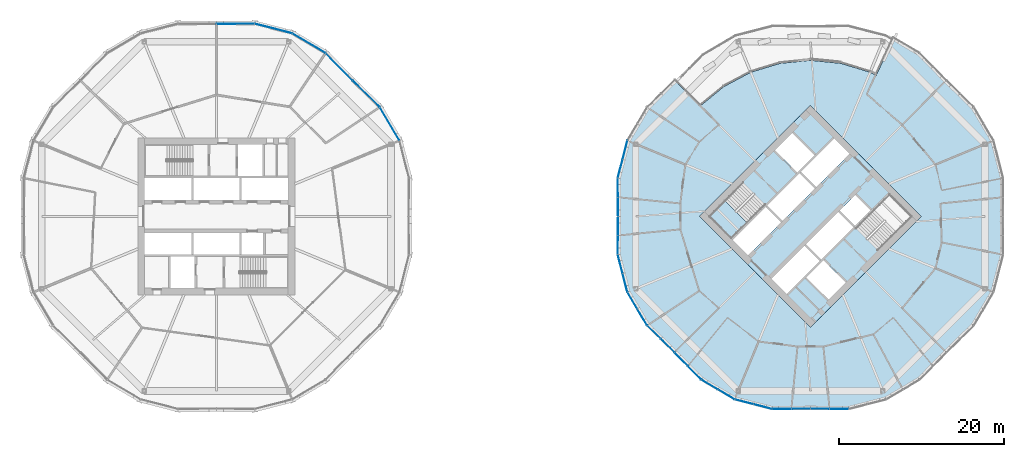
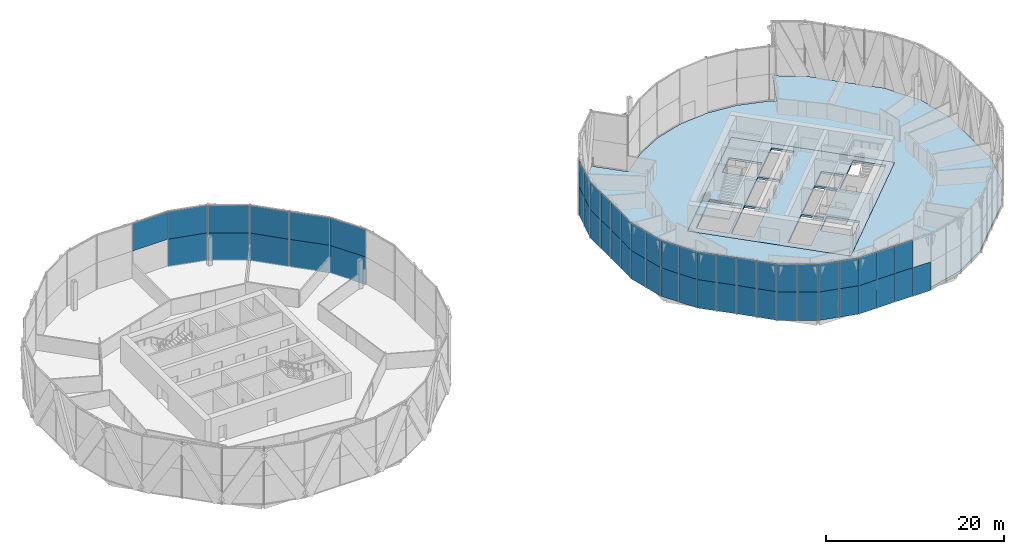
# One storey, part 19 of 31: 54 plates, 3 slabs, 7 elements without a shape of their own.
"""IFC4 building model written with IfcOpenShell, lengths in metres."""

from ifc_helpers import new_model, si_unit, direction, frame, origin, origin_2d, place, context, subcontext, project, spatial, polyline, rectangle, outline, extrude, material, layer, layer_set, type_object, element, aggregate, save


model = new_model("IFC4")

# Units and contexts
model_context = context("Model", 3, precision=1e-05, world=origin(), true_north=direction((0.0, 1.0)))
body_context = subcontext(model_context, "Body", "Model", "MODEL_VIEW")
ifc_project = project(units=[si_unit("LENGTHUNIT", "METRE"), si_unit("AREAUNIT", "SQUARE_METRE"), si_unit("VOLUMEUNIT", "CUBIC_METRE"), si_unit("PLANEANGLEUNIT", "RADIAN"), si_unit("MASSUNIT", "GRAM", prefix="KILO")], contexts=[model_context])

# Site, building, storey
site_placement = place(None, origin())
site = spatial("IfcSite", under=ifc_project, at=site_placement, CompositionType="ELEMENT")
building_placement = place(site_placement, origin())
building = spatial("IfcBuilding", under=site, at=building_placement, Name="Ogive Gate Towers", CompositionType="ELEMENT")
storey_placement = place(building_placement, frame((0.0, 0.0, 63.60009765625)))
storey = spatial("IfcBuildingStorey", under=building, at=storey_placement, Name="L14", CompositionType="ELEMENT", Elevation=63.60009765625)

# Slabs
ifc_material_1 = material(Name="Concrete C40/50", Category="concrete")
ifc_layer_1 = layer(ifc_material_1, 0.300048828125)
ifc_layer_set_1 = layer_set([ifc_layer_1], Name="Core slab C40/50 300 mm")
slab_type_1 = type_object("IfcSlabType", Name="Core slab C40/50 300 mm", PredefinedType="FLOOR", material=ifc_layer_set_1)
slab_1_placement = place(storey_placement, frame((0.0, 0.0, -0.300048828125)))
element("IfcSlab", 1, at=slab_1_placement, inside=storey, type_object=slab_type_1, Name="T2 L14 core slab", PredefinedType="FLOOR", context=body_context, shape_type="SweptSolid", body=[
    extrude(outline(polyline([(36.0, 13.43505859375), (49.43505859375, 0.0), (36.0, -13.43505859375), (22.56494140625, 0.0), (36.0, 13.43505859375)]), holes=[polyline([(30.590576171875, 1.13134765625), (26.577880859375, -2.881591796875), (28.43408203125, -4.737548828125), (32.44677734375, -0.724853515625), (30.590576171875, 1.13134765625)]), polyline([(36.548095703125, 3.37646484375), (34.69189453125, 5.232666015625), (30.767333984375, 1.30810546875), (32.62353515625, -0.548095703125), (36.548095703125, 3.37646484375)]), polyline([(36.724853515625, 3.55322265625), (40.737548828125, 7.56591796875), (38.881591796875, 9.422119140625), (34.86865234375, 5.409423828125), (36.724853515625, 3.55322265625)]), polyline([(31.262451171875, -7.56591796875), (33.118408203125, -9.422119140625), (37.13134765625, -5.409423828125), (35.275146484375, -3.55322265625), (31.262451171875, -7.56591796875)]), polyline([(39.37646484375, 0.548095703125), (35.451904296875, -3.37646484375), (37.30810546875, -5.232666015625), (41.232666015625, -1.30810546875), (39.37646484375, 0.548095703125)]), polyline([(43.283203125, 0.742431640625), (41.427001953125, 2.5986328125), (39.55322265625, 0.724853515625), (41.409423828125, -1.13134765625), (43.283203125, 0.742431640625)]), polyline([(34.408935546875, 5.30322265625), (36.4951171875, 7.389404296875), (33.790283203125, 10.093994140625), (31.704345703125, 8.008056640625), (34.408935546875, 5.30322265625)]), polyline([(35.5048828125, -7.389404296875), (38.209716796875, -10.093994140625), (40.295654296875, -8.008056640625), (37.591064453125, -5.30322265625), (35.5048828125, -7.389404296875)]), polyline([(26.40087890625, -2.70458984375), (30.512939453125, 1.406982421875), (27.80810546875, 4.11181640625), (23.6962890625, 0.0), (26.40087890625, -2.70458984375)]), polyline([(48.3037109375, 0.0), (45.59912109375, 2.70458984375), (41.487060546875, -1.406982421875), (44.19189453125, -4.11181640625), (48.3037109375, 0.0)])]), origin(), (0.0, 0.0, 1.0), 0.300048828125),
])
ifc_material_2 = material(Name="Concrete C35/45", Category="concrete")
ifc_layer_2 = layer(ifc_material_2, 0.300048828125)
ifc_layer_set_2 = layer_set([ifc_layer_2], Name="Floor slab 300")
slab_type_2 = type_object("IfcSlabType", Name="Floor slab 300", PredefinedType="FLOOR", material=ifc_layer_set_2)
slab_2_placement = place(storey_placement, frame((0.0, 0.0, -0.300048828125)))
element("IfcSlab", 2, at=slab_2_placement, inside=storey, type_object=slab_type_2, Name="T2/L14/SSL001", PredefinedType="FLOOR", context=body_context, shape_type="SweptSolid", body=[
    extrude(outline(polyline([(52.411865234375, 16.411865234375), (49.172607421875, 19.714111328125), (46.05224609375, 21.55712890625), (43.965087890625, 17.0810546875), (43.236572265625, 17.470458984375), (39.689208984375, 18.546630859375), (36.0, 18.909912109375), (32.310791015625, 18.546630859375), (28.763427734375, 17.470458984375), (25.494140625, 15.72314453125), (22.628662109375, 13.371337890625), (19.588134765625, 16.411865234375), (16.285888671875, 13.172607421875), (13.91015625, 9.14990234375), (12.74560546875, 4.62548828125), (12.7900390625, 0.0), (12.74560546875, -4.62548828125), (13.91015625, -9.14990234375), (16.285888671875, -13.172607421875), (19.588134765625, -16.411865234375), (22.827392578125, -19.714111328125), (26.85009765625, -22.08984375), (31.37451171875, -23.25439453125), (36.0, -23.2099609375), (40.62548828125, -23.25439453125), (45.14990234375, -22.08984375), (49.172607421875, -19.714111328125), (52.411865234375, -16.411865234375), (55.714111328125, -13.172607421875), (58.08984375, -9.14990234375), (59.25439453125, -4.62548828125), (59.2099609375, 0.0), (59.25439453125, 4.62548828125), (58.08984375, 9.14990234375), (55.714111328125, 13.172607421875), (52.411865234375, 16.411865234375)]), holes=[polyline([(49.43505859375, 0.0), (36.0, -13.43505859375), (22.56494140625, 0.0), (36.0, 13.43505859375), (49.43505859375, 0.0)])]), origin(), (0.0, 0.0, 1.0), 0.300048828125),
])

# Stair, slab
stair_type = type_object("IfcStairType", Name="Escape stair 1840 wide", PredefinedType="HALF_TURN_STAIR", material=ifc_material_1)
stair_placement = place(storey_placement, origin())
stair = element("IfcStair", 3, at=stair_placement, inside=storey, type_object=stair_type, Name="L14 Escape stair 1", PredefinedType="HALF_TURN_STAIR")
ifc_layer_3 = layer(ifc_material_1, 0.199951171875)
ifc_layer_set_3 = layer_set([ifc_layer_3], Name="Stair landing 200 mm")
slab_type_3 = type_object("IfcSlabType", Name="Stair landing 200 mm", PredefinedType="LANDING", material=ifc_layer_set_3)
slab_3_placement = place(storey_placement, frame((0.0, 0.0, 1.75)))
slab_3 = element("IfcSlab", 4, at=slab_3_placement, type_object=slab_type_3, Name="ST1 landing 1", PredefinedType="LANDING", context=body_context, shape_type="SweptSolid", body=[
    extrude(outline(polyline([(25.6044921875, 1.908203125), (23.6962890625, 0.0), (26.401123046875, -2.70458984375), (28.309326171875, -0.79638671875), (25.6044921875, 1.908203125)])), origin(), (0.0, 0.0, 1.0), 0.199951171875),
])
aggregate(stair, [slab_3])

# Curtain wall, plates
ifc_material_3 = material(Name="Pale metal aluminium", Category="aluminium")
curtain_wall_type = type_object("IfcCurtainWallType", Name="Tower unitised wall, low zone", PredefinedType="NOTDEFINED", material=ifc_material_3)
curtain_wall_1_placement = place(storey_placement, origin())
curtain_wall_1 = element("IfcCurtainWall", 5, at=curtain_wall_1_placement, inside=storey, type_object=curtain_wall_type, Name="CW1 T1 ECW01", PredefinedType="NOTDEFINED")
ifc_material_4 = material(Name="Clear glass", Category="glass")
ifc_layer_4 = layer(ifc_material_4, 0.028076171875)
ifc_layer_set_4 = layer_set([ifc_layer_4], Name="Tower unitised wall, low zone glass panel")
plate_type = type_object("IfcPlateType", Name="Tower unitised wall, low zone glass panel", PredefinedType="CURTAIN_PANEL", material=ifc_layer_set_4)
plate_1_placement = place(storey_placement, frame((-15.01171875, 11.211669921875, -0.2041015625), z_axis=(0.0, 0.0, 1.0), x_axis=(-0.508545579527, 0.86103507103, 0.0)))
plate_1 = element("IfcPlate", 6, at=plate_1_placement, type_object=plate_type, Name="CW1 glass panel", PredefinedType="CURTAIN_PANEL", context=body_context, shape_type="SweptSolid", body=[
    extrude(rectangle(XDim=4.63720703125, YDim=0.028076171875, at=origin_2d()), origin(), (0.0, 0.0, 1.0), 3.803955078125),
])
plate_2_placement = place(storey_placement, frame((-15.01171875, 11.211669921875, 3.60009765625), z_axis=(0.0, 0.0, 1.0), x_axis=(-0.508545579527, 0.86103507103, 0.0)))
plate_2 = element("IfcPlate", 7, at=plate_2_placement, type_object=plate_type, Name="CW1 glass panel", PredefinedType="CURTAIN_PANEL", context=body_context, shape_type="SweptSolid", body=[
    extrude(rectangle(XDim=4.63720703125, YDim=0.028076171875, at=origin_2d()), origin(), (0.0, 0.0, 1.0), 3.803955078125),
])
plate_3_placement = place(storey_placement, frame((-17.86328125, 14.860107421875, -0.2041015625), z_axis=(0.0, 0.0, 1.0), x_axis=(-0.713849613797, 0.700299028189, 0.0)))
plate_3 = element("IfcPlate", 8, at=plate_3_placement, type_object=plate_type, Name="CW1 glass panel", PredefinedType="CURTAIN_PANEL", context=body_context, shape_type="SweptSolid", body=[
    extrude(rectangle(XDim=4.580078125, YDim=0.028076171875, at=origin_2d()), origin(), (0.0, 0.0, 1.0), 3.803955078125),
])
plate_4_placement = place(storey_placement, frame((-17.86328125, 14.860107421875, 3.60009765625), z_axis=(0.0, 0.0, 1.0), x_axis=(-0.713849613797, 0.700299028189, 0.0)))
plate_4 = element("IfcPlate", 9, at=plate_4_placement, type_object=plate_type, Name="CW1 glass panel", PredefinedType="CURTAIN_PANEL", context=body_context, shape_type="SweptSolid", body=[
    extrude(rectangle(XDim=4.580078125, YDim=0.028076171875, at=origin_2d()), origin(), (0.0, 0.0, 1.0), 3.803955078125),
])
aggregate(curtain_wall_1, [plate_1, plate_2, plate_3, plate_4])

curtain_wall_2_placement = place(storey_placement, origin())
curtain_wall_2 = element("IfcCurtainWall", 10, at=curtain_wall_2_placement, inside=storey, type_object=curtain_wall_type, Name="CW1 T1 ECW02", PredefinedType="NOTDEFINED")
plate_5_placement = place(storey_placement, frame((-21.139892578125, 18.13671875, -0.2041015625), z_axis=(0.0, 0.0, 1.0), x_axis=(-0.700299028189, 0.713849613797, 0.0)))
plate_5 = element("IfcPlate", 11, at=plate_5_placement, type_object=plate_type, Name="CW1 glass panel", PredefinedType="CURTAIN_PANEL", context=body_context, shape_type="SweptSolid", body=[
    extrude(rectangle(XDim=4.580078125, YDim=0.028076171875, at=origin_2d()), origin(), (0.0, 0.0, 1.0), 3.803955078125),
])
plate_6_placement = place(storey_placement, frame((-21.139892578125, 18.13671875, 3.60009765625), z_axis=(0.0, 0.0, 1.0), x_axis=(-0.700299028189, 0.713849613797, 0.0)))
plate_6 = element("IfcPlate", 12, at=plate_6_placement, type_object=plate_type, Name="CW1 glass panel", PredefinedType="CURTAIN_PANEL", context=body_context, shape_type="SweptSolid", body=[
    extrude(rectangle(XDim=4.580078125, YDim=0.028076171875, at=origin_2d()), origin(), (0.0, 0.0, 1.0), 3.803955078125),
])
plate_7_placement = place(storey_placement, frame((-24.788330078125, 20.98828125, -0.2041015625), z_axis=(0.0, 0.0, 1.0), x_axis=(-0.86103507103, 0.508545579527, 0.0)))
plate_7 = element("IfcPlate", 13, at=plate_7_placement, type_object=plate_type, Name="CW1 glass panel", PredefinedType="CURTAIN_PANEL", context=body_context, shape_type="SweptSolid", body=[
    extrude(rectangle(XDim=4.63720703125, YDim=0.028076171875, at=origin_2d()), origin(), (0.0, 0.0, 1.0), 3.803955078125),
])
plate_8_placement = place(storey_placement, frame((-24.788330078125, 20.98828125, 3.60009765625), z_axis=(0.0, 0.0, 1.0), x_axis=(-0.86103507103, 0.508545579527, 0.0)))
plate_8 = element("IfcPlate", 14, at=plate_8_placement, type_object=plate_type, Name="CW1 glass panel", PredefinedType="CURTAIN_PANEL", context=body_context, shape_type="SweptSolid", body=[
    extrude(rectangle(XDim=4.63720703125, YDim=0.028076171875, at=origin_2d()), origin(), (0.0, 0.0, 1.0), 3.803955078125),
])
plate_9_placement = place(storey_placement, frame((-29.0869140625, 22.768798828125, -0.2041015625), z_axis=(0.0, 0.0, 1.0), x_axis=(-0.968439765391, 0.249247709738, 0.0)))
plate_9 = element("IfcPlate", 15, at=plate_9_placement, type_object=plate_type, Name="CW1 glass panel", PredefinedType="CURTAIN_PANEL", context=body_context, shape_type="SweptSolid", body=[
    extrude(rectangle(XDim=4.63720703125, YDim=0.028076171875, at=origin_2d()), origin(), (0.0, 0.0, 1.0), 3.803955078125),
])
plate_10_placement = place(storey_placement, frame((-29.0869140625, 22.768798828125, 3.60009765625), z_axis=(0.0, 0.0, 1.0), x_axis=(-0.968439765391, 0.249247709738, 0.0)))
plate_10 = element("IfcPlate", 16, at=plate_10_placement, type_object=plate_type, Name="CW1 glass panel", PredefinedType="CURTAIN_PANEL", context=body_context, shape_type="SweptSolid", body=[
    extrude(rectangle(XDim=4.63720703125, YDim=0.028076171875, at=origin_2d()), origin(), (0.0, 0.0, 1.0), 3.803955078125),
])
plate_11_placement = place(storey_placement, frame((-33.68310546875, 23.332275390625, 3.60009765625), z_axis=(0.0, 0.0, 1.0), x_axis=(-0.999953926969, -0.009599163462, 0.0)))
plate_11 = element("IfcPlate", 17, at=plate_11_placement, type_object=plate_type, Name="CW1 glass panel", PredefinedType="CURTAIN_PANEL", context=body_context, shape_type="SweptSolid", body=[
    extrude(rectangle(XDim=4.580078125, YDim=0.028076171875, at=origin_2d()), origin(), (0.0, 0.0, 1.0), 3.803955078125),
])
aggregate(curtain_wall_2, [plate_5, plate_6, plate_7, plate_8, plate_9, plate_10, plate_11])

curtain_wall_3_placement = place(storey_placement, origin())
curtain_wall_3 = element("IfcCurtainWall", 18, at=curtain_wall_3_placement, inside=storey, type_object=curtain_wall_type, Name="CW1 T2 ECW05", PredefinedType="NOTDEFINED")
plate_12_placement = place(storey_placement, frame((12.678955078125, 1.159423828125, -0.300048828125), z_axis=(0.0, 0.0, 1.0), x_axis=(-0.009616615949, 0.99995375928, 0.0)))
plate_12 = element("IfcPlate", 19, at=plate_12_placement, type_object=plate_type, Name="CW1 glass panel", PredefinedType="CURTAIN_PANEL", context=body_context, shape_type="SweptSolid", body=[
    extrude(rectangle(XDim=2.264892578125, YDim=0.028076171875, at=origin_2d()), origin(), (0.0, 0.0, 1.0), 3.89990234375),
])
plate_13_placement = place(storey_placement, frame((12.678955078125, 1.159423828125, 3.60009765625), z_axis=(0.0, 0.0, 1.0), x_axis=(-0.009616615949, 0.99995375928, 0.0)))
plate_13 = element("IfcPlate", 20, at=plate_13_placement, type_object=plate_type, Name="CW1 glass panel", PredefinedType="CURTAIN_PANEL", context=body_context, shape_type="SweptSolid", body=[
    extrude(rectangle(XDim=2.264892578125, YDim=0.028076171875, at=origin_2d()), origin(), (0.0, 0.0, 1.0), 3.803955078125),
])
plate_14_placement = place(storey_placement, frame((12.656494140625, 3.476318359375, -0.300048828125), z_axis=(0.0, 0.0, 1.0), x_axis=(-0.009581710973, 0.999954094354, 0.0)))
plate_14 = element("IfcPlate", 21, at=plate_14_placement, type_object=plate_type, Name="CW1 glass panel", PredefinedType="CURTAIN_PANEL", context=body_context, shape_type="SweptSolid", body=[
    extrude(rectangle(XDim=2.26123046875, YDim=0.028076171875, at=origin_2d()), origin(), (0.0, 0.0, 1.0), 3.89990234375),
])
plate_15_placement = place(storey_placement, frame((12.656494140625, 3.476318359375, 3.60009765625), z_axis=(0.0, 0.0, 1.0), x_axis=(-0.009581710973, 0.999954094354, 0.0)))
plate_15 = element("IfcPlate", 22, at=plate_15_placement, type_object=plate_type, Name="CW1 glass panel", PredefinedType="CURTAIN_PANEL", context=body_context, shape_type="SweptSolid", body=[
    extrude(rectangle(XDim=2.26123046875, YDim=0.028076171875, at=origin_2d()), origin(), (0.0, 0.0, 1.0), 3.803955078125),
])
plate_16_placement = place(storey_placement, frame((12.938720703125, 5.77734375, -0.300048828125), z_axis=(0.0, 0.0, 1.0), x_axis=(0.249247709738, 0.968439765391, 0.0)))
plate_16 = element("IfcPlate", 23, at=plate_16_placement, type_object=plate_type, Name="CW1 glass panel", PredefinedType="CURTAIN_PANEL", context=body_context, shape_type="SweptSolid", body=[
    extrude(rectangle(XDim=2.291748046875, YDim=0.028076171875, at=origin_2d()), origin(), (0.0, 0.0, 1.0), 3.89990234375),
])
plate_17_placement = place(storey_placement, frame((12.938720703125, 5.77734375, 3.60009765625), z_axis=(0.0, 0.0, 1.0), x_axis=(0.249247709738, 0.968439765391, 0.0)))
plate_17 = element("IfcPlate", 24, at=plate_17_placement, type_object=plate_type, Name="CW1 glass panel", PredefinedType="CURTAIN_PANEL", context=body_context, shape_type="SweptSolid", body=[
    extrude(rectangle(XDim=2.291748046875, YDim=0.028076171875, at=origin_2d()), origin(), (0.0, 0.0, 1.0), 3.803955078125),
])
plate_18_placement = place(storey_placement, frame((13.5234375, 8.049072265625, -0.300048828125), z_axis=(0.0, 0.0, 1.0), x_axis=(0.249247709738, 0.968439765391, 0.0)))
plate_18 = element("IfcPlate", 25, at=plate_18_placement, type_object=plate_type, Name="CW1 glass panel", PredefinedType="CURTAIN_PANEL", context=body_context, shape_type="SweptSolid", body=[
    extrude(rectangle(XDim=2.29150390625, YDim=0.028076171875, at=origin_2d()), origin(), (0.0, 0.0, 1.0), 3.89990234375),
])
plate_19_placement = place(storey_placement, frame((13.5234375, 8.049072265625, 3.60009765625), z_axis=(0.0, 0.0, 1.0), x_axis=(0.249247709738, 0.968439765391, 0.0)))
plate_19 = element("IfcPlate", 26, at=plate_19_placement, type_object=plate_type, Name="CW1 glass panel", PredefinedType="CURTAIN_PANEL", context=body_context, shape_type="SweptSolid", body=[
    extrude(rectangle(XDim=2.29150390625, YDim=0.028076171875, at=origin_2d()), origin(), (0.0, 0.0, 1.0), 3.803955078125),
])
aggregate(curtain_wall_3, [plate_12, plate_13, plate_14, plate_15, plate_16, plate_17, plate_18, plate_19])

curtain_wall_4_placement = place(storey_placement, origin())
curtain_wall_4 = element("IfcCurtainWall", 27, at=curtain_wall_4_placement, inside=storey, type_object=curtain_wall_type, Name="CW1 T2 ECW06", PredefinedType="NOTDEFINED")
plate_20_placement = place(storey_placement, frame((18.689697265625, -15.670654296875, -0.300048828125), z_axis=(0.0, 0.0, 1.0), x_axis=(-0.713849613797, 0.700299028189, 0.0)))
plate_20 = element("IfcPlate", 28, at=plate_20_placement, type_object=plate_type, Name="CW1 glass panel", PredefinedType="CURTAIN_PANEL", context=body_context, shape_type="SweptSolid", body=[
    extrude(rectangle(XDim=2.264892578125, YDim=0.028076171875, at=origin_2d()), origin(), (0.0, 0.0, 1.0), 3.89990234375),
])
plate_21_placement = place(storey_placement, frame((18.689697265625, -15.670654296875, 3.60009765625), z_axis=(0.0, 0.0, 1.0), x_axis=(-0.713849613797, 0.700299028189, 0.0)))
plate_21 = element("IfcPlate", 29, at=plate_21_placement, type_object=plate_type, Name="CW1 glass panel", PredefinedType="CURTAIN_PANEL", context=body_context, shape_type="SweptSolid", body=[
    extrude(rectangle(XDim=2.264892578125, YDim=0.028076171875, at=origin_2d()), origin(), (0.0, 0.0, 1.0), 3.803955078125),
])
plate_22_placement = place(storey_placement, frame((17.035400390625, -14.048095703125, -0.300048828125), z_axis=(0.0, 0.0, 1.0), x_axis=(-0.713861836212, 0.700286569056, 0.0)))
plate_22 = element("IfcPlate", 30, at=plate_22_placement, type_object=plate_type, Name="CW1 glass panel", PredefinedType="CURTAIN_PANEL", context=body_context, shape_type="SweptSolid", body=[
    extrude(rectangle(XDim=2.26123046875, YDim=0.028076171875, at=origin_2d()), origin(), (0.0, 0.0, 1.0), 3.89990234375),
])
plate_23_placement = place(storey_placement, frame((17.035400390625, -14.048095703125, 3.60009765625), z_axis=(0.0, 0.0, 1.0), x_axis=(-0.713861836212, 0.700286569056, 0.0)))
plate_23 = element("IfcPlate", 31, at=plate_23_placement, type_object=plate_type, Name="CW1 glass panel", PredefinedType="CURTAIN_PANEL", context=body_context, shape_type="SweptSolid", body=[
    extrude(rectangle(XDim=2.26123046875, YDim=0.028076171875, at=origin_2d()), origin(), (0.0, 0.0, 1.0), 3.803955078125),
])
plate_24_placement = place(storey_placement, frame((15.60791015625, -12.221435546875, -0.300048828125), z_axis=(0.0, 0.0, 1.0), x_axis=(-0.508530551553, 0.861043946693, 0.0)))
plate_24 = element("IfcPlate", 32, at=plate_24_placement, type_object=plate_type, Name="CW1 glass panel", PredefinedType="CURTAIN_PANEL", context=body_context, shape_type="SweptSolid", body=[
    extrude(rectangle(XDim=2.29150390625, YDim=0.028076171875, at=origin_2d()), origin(), (0.0, 0.0, 1.0), 3.89990234375),
])
plate_25_placement = place(storey_placement, frame((15.60791015625, -12.221435546875, 3.60009765625), z_axis=(0.0, 0.0, 1.0), x_axis=(-0.508530551553, 0.861043946693, 0.0)))
plate_25 = element("IfcPlate", 33, at=plate_25_placement, type_object=plate_type, Name="CW1 glass panel", PredefinedType="CURTAIN_PANEL", context=body_context, shape_type="SweptSolid", body=[
    extrude(rectangle(XDim=2.29150390625, YDim=0.028076171875, at=origin_2d()), origin(), (0.0, 0.0, 1.0), 3.803955078125),
])
plate_26_placement = place(storey_placement, frame((14.415283203125, -10.201904296875, -0.300048828125), z_axis=(0.0, 0.0, 1.0), x_axis=(-0.508545579527, 0.86103507103, 0.0)))
plate_26 = element("IfcPlate", 34, at=plate_26_placement, type_object=plate_type, Name="CW1 glass panel", PredefinedType="CURTAIN_PANEL", context=body_context, shape_type="SweptSolid", body=[
    extrude(rectangle(XDim=2.29150390625, YDim=0.028076171875, at=origin_2d()), origin(), (0.0, 0.0, 1.0), 3.89990234375),
])
plate_27_placement = place(storey_placement, frame((14.415283203125, -10.201904296875, 3.60009765625), z_axis=(0.0, 0.0, 1.0), x_axis=(-0.508545579527, 0.86103507103, 0.0)))
plate_27 = element("IfcPlate", 35, at=plate_27_placement, type_object=plate_type, Name="CW1 glass panel", PredefinedType="CURTAIN_PANEL", context=body_context, shape_type="SweptSolid", body=[
    extrude(rectangle(XDim=2.29150390625, YDim=0.028076171875, at=origin_2d()), origin(), (0.0, 0.0, 1.0), 3.803955078125),
])
plate_28_placement = place(storey_placement, frame((13.5234375, -8.049072265625, -0.300048828125), z_axis=(0.0, 0.0, 1.0), x_axis=(-0.249247709738, 0.968439765391, 0.0)))
plate_28 = element("IfcPlate", 36, at=plate_28_placement, type_object=plate_type, Name="CW1 glass panel", PredefinedType="CURTAIN_PANEL", context=body_context, shape_type="SweptSolid", body=[
    extrude(rectangle(XDim=2.29150390625, YDim=0.028076171875, at=origin_2d()), origin(), (0.0, 0.0, 1.0), 3.89990234375),
])
plate_29_placement = place(storey_placement, frame((13.5234375, -8.049072265625, 3.60009765625), z_axis=(0.0, 0.0, 1.0), x_axis=(-0.249247709738, 0.968439765391, 0.0)))
plate_29 = element("IfcPlate", 37, at=plate_29_placement, type_object=plate_type, Name="CW1 glass panel", PredefinedType="CURTAIN_PANEL", context=body_context, shape_type="SweptSolid", body=[
    extrude(rectangle(XDim=2.29150390625, YDim=0.028076171875, at=origin_2d()), origin(), (0.0, 0.0, 1.0), 3.803955078125),
])
plate_30_placement = place(storey_placement, frame((12.938720703125, -5.77734375, -0.300048828125), z_axis=(0.0, 0.0, 1.0), x_axis=(-0.249247709738, 0.968439765391, 0.0)))
plate_30 = element("IfcPlate", 38, at=plate_30_placement, type_object=plate_type, Name="CW1 glass panel", PredefinedType="CURTAIN_PANEL", context=body_context, shape_type="SweptSolid", body=[
    extrude(rectangle(XDim=2.291748046875, YDim=0.028076171875, at=origin_2d()), origin(), (0.0, 0.0, 1.0), 3.89990234375),
])
plate_31_placement = place(storey_placement, frame((12.938720703125, -5.77734375, 3.60009765625), z_axis=(0.0, 0.0, 1.0), x_axis=(-0.249247709738, 0.968439765391, 0.0)))
plate_31 = element("IfcPlate", 39, at=plate_31_placement, type_object=plate_type, Name="CW1 glass panel", PredefinedType="CURTAIN_PANEL", context=body_context, shape_type="SweptSolid", body=[
    extrude(rectangle(XDim=2.291748046875, YDim=0.028076171875, at=origin_2d()), origin(), (0.0, 0.0, 1.0), 3.803955078125),
])
plate_32_placement = place(storey_placement, frame((12.656494140625, -3.476318359375, -0.300048828125), z_axis=(0.0, 0.0, 1.0), x_axis=(0.009581710973, 0.999954094354, 0.0)))
plate_32 = element("IfcPlate", 40, at=plate_32_placement, type_object=plate_type, Name="CW1 glass panel", PredefinedType="CURTAIN_PANEL", context=body_context, shape_type="SweptSolid", body=[
    extrude(rectangle(XDim=2.26123046875, YDim=0.028076171875, at=origin_2d()), origin(), (0.0, 0.0, 1.0), 3.89990234375),
])
plate_33_placement = place(storey_placement, frame((12.656494140625, -3.476318359375, 3.60009765625), z_axis=(0.0, 0.0, 1.0), x_axis=(0.009581710973, 0.999954094354, 0.0)))
plate_33 = element("IfcPlate", 41, at=plate_33_placement, type_object=plate_type, Name="CW1 glass panel", PredefinedType="CURTAIN_PANEL", context=body_context, shape_type="SweptSolid", body=[
    extrude(rectangle(XDim=2.26123046875, YDim=0.028076171875, at=origin_2d()), origin(), (0.0, 0.0, 1.0), 3.803955078125),
])
plate_34_placement = place(storey_placement, frame((12.678955078125, -1.159423828125, -0.300048828125), z_axis=(0.0, 0.0, 1.0), x_axis=(0.009616615949, 0.99995375928, 0.0)))
plate_34 = element("IfcPlate", 42, at=plate_34_placement, type_object=plate_type, Name="CW1 glass panel", PredefinedType="CURTAIN_PANEL", context=body_context, shape_type="SweptSolid", body=[
    extrude(rectangle(XDim=2.264892578125, YDim=0.028076171875, at=origin_2d()), origin(), (0.0, 0.0, 1.0), 3.89990234375),
])
plate_35_placement = place(storey_placement, frame((12.678955078125, -1.159423828125, 3.60009765625), z_axis=(0.0, 0.0, 1.0), x_axis=(0.009616615949, 0.99995375928, 0.0)))
plate_35 = element("IfcPlate", 43, at=plate_35_placement, type_object=plate_type, Name="CW1 glass panel", PredefinedType="CURTAIN_PANEL", context=body_context, shape_type="SweptSolid", body=[
    extrude(rectangle(XDim=2.264892578125, YDim=0.028076171875, at=origin_2d()), origin(), (0.0, 0.0, 1.0), 3.803955078125),
])
aggregate(curtain_wall_4, [plate_20, plate_21, plate_22, plate_23, plate_24, plate_25, plate_26, plate_27, plate_28, plate_29, plate_30, plate_31, plate_32, plate_33, plate_34, plate_35])

curtain_wall_5_placement = place(storey_placement, origin())
curtain_wall_5 = element("IfcCurtainWall", 44, at=curtain_wall_5_placement, inside=storey, type_object=curtain_wall_type, Name="CW1 T2 ECW07", PredefinedType="NOTDEFINED")
plate_36_placement = place(storey_placement, frame((34.840576171875, -23.321044921875, -0.300048828125), z_axis=(0.0, 0.0, 1.0), x_axis=(-0.99995375928, -0.009616615949, 0.0)))
plate_36 = element("IfcPlate", 45, at=plate_36_placement, type_object=plate_type, Name="CW1 glass panel", PredefinedType="CURTAIN_PANEL", context=body_context, shape_type="SweptSolid", body=[
    extrude(rectangle(XDim=2.264892578125, YDim=0.028076171875, at=origin_2d()), origin(), (0.0, 0.0, 1.0), 3.89990234375),
])
plate_37_placement = place(storey_placement, frame((34.840576171875, -23.321044921875, 3.60009765625), z_axis=(0.0, 0.0, 1.0), x_axis=(-0.99995375928, -0.009616615949, 0.0)))
plate_37 = element("IfcPlate", 46, at=plate_37_placement, type_object=plate_type, Name="CW1 glass panel", PredefinedType="CURTAIN_PANEL", context=body_context, shape_type="SweptSolid", body=[
    extrude(rectangle(XDim=2.264892578125, YDim=0.028076171875, at=origin_2d()), origin(), (0.0, 0.0, 1.0), 3.803955078125),
])
plate_38_placement = place(storey_placement, frame((32.523681640625, -23.343505859375, -0.300048828125), z_axis=(0.0, 0.0, 1.0), x_axis=(-0.999954094354, -0.009581710973, 0.0)))
plate_38 = element("IfcPlate", 47, at=plate_38_placement, type_object=plate_type, Name="CW1 glass panel", PredefinedType="CURTAIN_PANEL", context=body_context, shape_type="SweptSolid", body=[
    extrude(rectangle(XDim=2.26123046875, YDim=0.028076171875, at=origin_2d()), origin(), (0.0, 0.0, 1.0), 3.89990234375),
])
plate_39_placement = place(storey_placement, frame((32.523681640625, -23.343505859375, 3.60009765625), z_axis=(0.0, 0.0, 1.0), x_axis=(-0.999954094354, -0.009581710973, 0.0)))
plate_39 = element("IfcPlate", 48, at=plate_39_placement, type_object=plate_type, Name="CW1 glass panel", PredefinedType="CURTAIN_PANEL", context=body_context, shape_type="SweptSolid", body=[
    extrude(rectangle(XDim=2.26123046875, YDim=0.028076171875, at=origin_2d()), origin(), (0.0, 0.0, 1.0), 3.803955078125),
])
plate_40_placement = place(storey_placement, frame((30.22265625, -23.061279296875, -0.300048828125), z_axis=(0.0, 0.0, 1.0), x_axis=(-0.968439765391, 0.249247709738, 0.0)))
plate_40 = element("IfcPlate", 49, at=plate_40_placement, type_object=plate_type, Name="CW1 glass panel", PredefinedType="CURTAIN_PANEL", context=body_context, shape_type="SweptSolid", body=[
    extrude(rectangle(XDim=2.291748046875, YDim=0.028076171875, at=origin_2d()), origin(), (0.0, 0.0, 1.0), 3.89990234375),
])
plate_41_placement = place(storey_placement, frame((30.22265625, -23.061279296875, 3.60009765625), z_axis=(0.0, 0.0, 1.0), x_axis=(-0.968439765391, 0.249247709738, 0.0)))
plate_41 = element("IfcPlate", 50, at=plate_41_placement, type_object=plate_type, Name="CW1 glass panel", PredefinedType="CURTAIN_PANEL", context=body_context, shape_type="SweptSolid", body=[
    extrude(rectangle(XDim=2.291748046875, YDim=0.028076171875, at=origin_2d()), origin(), (0.0, 0.0, 1.0), 3.803955078125),
])
plate_42_placement = place(storey_placement, frame((27.950927734375, -22.4765625, -0.300048828125), z_axis=(0.0, 0.0, 1.0), x_axis=(-0.968439765391, 0.249247709738, 0.0)))
plate_42 = element("IfcPlate", 51, at=plate_42_placement, type_object=plate_type, Name="CW1 glass panel", PredefinedType="CURTAIN_PANEL", context=body_context, shape_type="SweptSolid", body=[
    extrude(rectangle(XDim=2.29150390625, YDim=0.028076171875, at=origin_2d()), origin(), (0.0, 0.0, 1.0), 3.89990234375),
])
plate_43_placement = place(storey_placement, frame((27.950927734375, -22.4765625, 3.60009765625), z_axis=(0.0, 0.0, 1.0), x_axis=(-0.968439765391, 0.249247709738, 0.0)))
plate_43 = element("IfcPlate", 52, at=plate_43_placement, type_object=plate_type, Name="CW1 glass panel", PredefinedType="CURTAIN_PANEL", context=body_context, shape_type="SweptSolid", body=[
    extrude(rectangle(XDim=2.29150390625, YDim=0.028076171875, at=origin_2d()), origin(), (0.0, 0.0, 1.0), 3.803955078125),
])
plate_44_placement = place(storey_placement, frame((25.798095703125, -21.584716796875, -0.300048828125), z_axis=(0.0, 0.0, 1.0), x_axis=(-0.86103507103, 0.508545579527, 0.0)))
plate_44 = element("IfcPlate", 53, at=plate_44_placement, type_object=plate_type, Name="CW1 glass panel", PredefinedType="CURTAIN_PANEL", context=body_context, shape_type="SweptSolid", body=[
    extrude(rectangle(XDim=2.29150390625, YDim=0.028076171875, at=origin_2d()), origin(), (0.0, 0.0, 1.0), 3.89990234375),
])
plate_45_placement = place(storey_placement, frame((25.798095703125, -21.584716796875, 3.60009765625), z_axis=(0.0, 0.0, 1.0), x_axis=(-0.86103507103, 0.508545579527, 0.0)))
plate_45 = element("IfcPlate", 54, at=plate_45_placement, type_object=plate_type, Name="CW1 glass panel", PredefinedType="CURTAIN_PANEL", context=body_context, shape_type="SweptSolid", body=[
    extrude(rectangle(XDim=2.29150390625, YDim=0.028076171875, at=origin_2d()), origin(), (0.0, 0.0, 1.0), 3.803955078125),
])
plate_46_placement = place(storey_placement, frame((23.778564453125, -20.39208984375, -0.300048828125), z_axis=(0.0, 0.0, 1.0), x_axis=(-0.861043946693, 0.508530551553, 0.0)))
plate_46 = element("IfcPlate", 55, at=plate_46_placement, type_object=plate_type, Name="CW1 glass panel", PredefinedType="CURTAIN_PANEL", context=body_context, shape_type="SweptSolid", body=[
    extrude(rectangle(XDim=2.29150390625, YDim=0.028076171875, at=origin_2d()), origin(), (0.0, 0.0, 1.0), 3.89990234375),
])
plate_47_placement = place(storey_placement, frame((23.778564453125, -20.39208984375, 3.60009765625), z_axis=(0.0, 0.0, 1.0), x_axis=(-0.861043946693, 0.508530551553, 0.0)))
plate_47 = element("IfcPlate", 56, at=plate_47_placement, type_object=plate_type, Name="CW1 glass panel", PredefinedType="CURTAIN_PANEL", context=body_context, shape_type="SweptSolid", body=[
    extrude(rectangle(XDim=2.29150390625, YDim=0.028076171875, at=origin_2d()), origin(), (0.0, 0.0, 1.0), 3.803955078125),
])
plate_48_placement = place(storey_placement, frame((21.951904296875, -18.964599609375, -0.300048828125), z_axis=(0.0, 0.0, 1.0), x_axis=(-0.700286569056, 0.713861836212, 0.0)))
plate_48 = element("IfcPlate", 57, at=plate_48_placement, type_object=plate_type, Name="CW1 glass panel", PredefinedType="CURTAIN_PANEL", context=body_context, shape_type="SweptSolid", body=[
    extrude(rectangle(XDim=2.26123046875, YDim=0.028076171875, at=origin_2d()), origin(), (0.0, 0.0, 1.0), 3.89990234375),
])
plate_49_placement = place(storey_placement, frame((21.951904296875, -18.964599609375, 3.60009765625), z_axis=(0.0, 0.0, 1.0), x_axis=(-0.700286569056, 0.713861836212, 0.0)))
plate_49 = element("IfcPlate", 58, at=plate_49_placement, type_object=plate_type, Name="CW1 glass panel", PredefinedType="CURTAIN_PANEL", context=body_context, shape_type="SweptSolid", body=[
    extrude(rectangle(XDim=2.26123046875, YDim=0.028076171875, at=origin_2d()), origin(), (0.0, 0.0, 1.0), 3.803955078125),
])
plate_50_placement = place(storey_placement, frame((20.329345703125, -17.310302734375, -0.300048828125), z_axis=(0.0, 0.0, 1.0), x_axis=(-0.700299028189, 0.713849613797, 0.0)))
plate_50 = element("IfcPlate", 59, at=plate_50_placement, type_object=plate_type, Name="CW1 glass panel", PredefinedType="CURTAIN_PANEL", context=body_context, shape_type="SweptSolid", body=[
    extrude(rectangle(XDim=2.264892578125, YDim=0.028076171875, at=origin_2d()), origin(), (0.0, 0.0, 1.0), 3.89990234375),
])
plate_51_placement = place(storey_placement, frame((20.329345703125, -17.310302734375, 3.60009765625), z_axis=(0.0, 0.0, 1.0), x_axis=(-0.700299028189, 0.713849613797, 0.0)))
plate_51 = element("IfcPlate", 60, at=plate_51_placement, type_object=plate_type, Name="CW1 glass panel", PredefinedType="CURTAIN_PANEL", context=body_context, shape_type="SweptSolid", body=[
    extrude(rectangle(XDim=2.264892578125, YDim=0.028076171875, at=origin_2d()), origin(), (0.0, 0.0, 1.0), 3.803955078125),
])
aggregate(curtain_wall_5, [plate_36, plate_37, plate_38, plate_39, plate_40, plate_41, plate_42, plate_43, plate_44, plate_45, plate_46, plate_47, plate_48, plate_49, plate_50, plate_51])

curtain_wall_6_placement = place(storey_placement, origin())
curtain_wall_6 = element("IfcCurtainWall", 61, at=curtain_wall_6_placement, inside=storey, type_object=curtain_wall_type, Name="CW1 T2 ECW08", PredefinedType="NOTDEFINED")
plate_52_placement = place(storey_placement, frame((39.476318359375, -23.343505859375, -0.300048828125), z_axis=(0.0, 0.0, 1.0), x_axis=(-0.999954094354, 0.009581710973, 0.0)))
plate_52 = element("IfcPlate", 62, at=plate_52_placement, type_object=plate_type, Name="CW1 glass panel", PredefinedType="CURTAIN_PANEL", context=body_context, shape_type="SweptSolid", body=[
    extrude(rectangle(XDim=2.26123046875, YDim=0.028076171875, at=origin_2d()), origin(), (0.0, 0.0, 1.0), 3.89990234375),
])
plate_53_placement = place(storey_placement, frame((37.159423828125, -23.321044921875, -0.300048828125), z_axis=(0.0, 0.0, 1.0), x_axis=(-0.99995375928, 0.009616615949, 0.0)))
plate_53 = element("IfcPlate", 63, at=plate_53_placement, type_object=plate_type, Name="CW1 glass panel", PredefinedType="CURTAIN_PANEL", context=body_context, shape_type="SweptSolid", body=[
    extrude(rectangle(XDim=2.264892578125, YDim=0.028076171875, at=origin_2d()), origin(), (0.0, 0.0, 1.0), 3.89990234375),
])
plate_54_placement = place(storey_placement, frame((37.159423828125, -23.321044921875, 3.60009765625), z_axis=(0.0, 0.0, 1.0), x_axis=(-0.99995375928, 0.009616615949, 0.0)))
plate_54 = element("IfcPlate", 64, at=plate_54_placement, type_object=plate_type, Name="CW1 glass panel", PredefinedType="CURTAIN_PANEL", context=body_context, shape_type="SweptSolid", body=[
    extrude(rectangle(XDim=2.264892578125, YDim=0.028076171875, at=origin_2d()), origin(), (0.0, 0.0, 1.0), 3.803955078125),
])
aggregate(curtain_wall_6, [plate_52, plate_53, plate_54])

save(model, "model.ifc")
